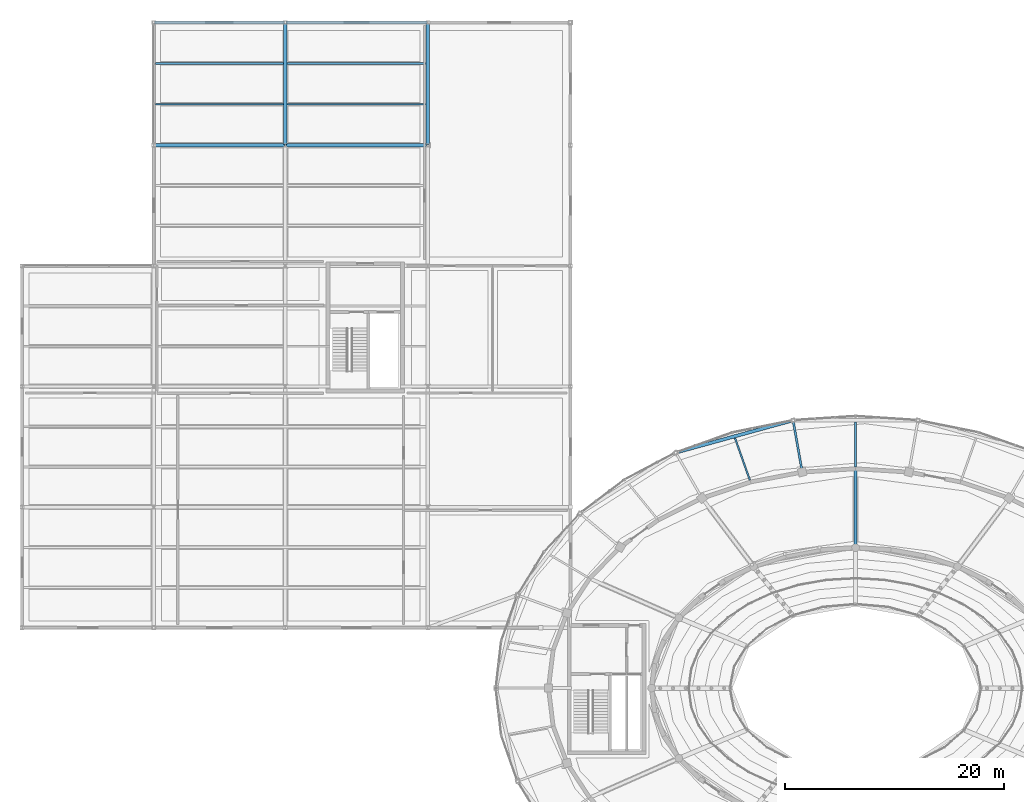
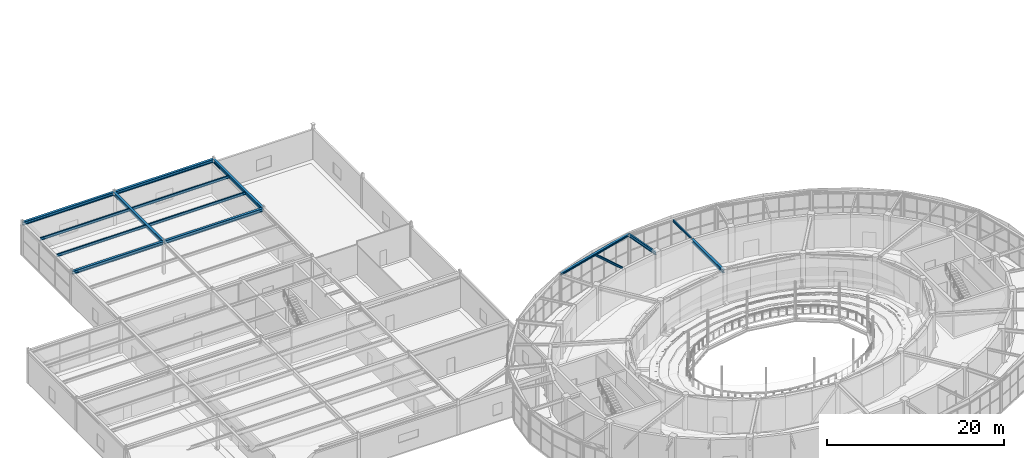
# One storey, part 58 of 108: 15 beams.
"""IFC4 building model written with IfcOpenShell, lengths in metres."""

from ifc_helpers import new_model, si_unit, direction, frame, origin, origin_2d, place, context, subcontext, project, spatial, i_section, extrude, material, material_profile, profile_set, type_object, element, save


model = new_model("IFC4")

# Units and contexts
model_context = context("Model", 3, precision=1e-05, world=origin(), true_north=direction((0.0, 1.0)))
body_context = subcontext(model_context, "Body", "Model", "MODEL_VIEW")
ifc_project = project(units=[si_unit("LENGTHUNIT", "METRE"), si_unit("AREAUNIT", "SQUARE_METRE"), si_unit("VOLUMEUNIT", "CUBIC_METRE"), si_unit("PLANEANGLEUNIT", "RADIAN"), si_unit("MASSUNIT", "GRAM", prefix="KILO")], contexts=[model_context])

# Site, building, storey
site_placement = place(None, origin())
site = spatial("IfcSite", under=ifc_project, at=site_placement, CompositionType="ELEMENT")
building_placement = place(site_placement, origin())
building = spatial("IfcBuilding", under=site, at=building_placement, Name="Tarnveldt Headland Concert Hall", CompositionType="ELEMENT")
storey_placement = place(building_placement, frame((0.0, 0.0, 9.60009765625)))
storey = spatial("IfcBuildingStorey", under=building, at=storey_placement, Name="L02", CompositionType="ELEMENT", Elevation=9.60009765625)

# Beams
ifc_material = material(Name="Steel S355", Category="steel")
ifc_material_profile_1 = material_profile(ifc_material, i_section(OverallWidth=0.300048828125, OverallDepth=0.2900390625, WebThickness=0.008544921875, FlangeThickness=0.013916015625, FilletRadius=0.027099609375, at=origin_2d()), Name="HEA300", Category="steel")
ifc_profile_set_1 = profile_set([ifc_material_profile_1], Name="Steel S355")
beam_type_1 = type_object("IfcBeamType", Name="SB-HEA300", PredefinedType="SPANDREL", material=ifc_profile_set_1)
beam_1_placement = place(storey_placement, frame((77.74658203125, 78.9072265625, 4.4248046875), z_axis=(-0.964161617091, -0.265315616065, 0.0), x_axis=(0.265315616065, -0.964161617091, 0.0)))
element("IfcBeam", 1, at=beam_1_placement, inside=storey, type_object=beam_type_1, Name="Framing beam L02-1010", PredefinedType="SPANDREL", context=body_context, shape_type="SweptSolid", body=[
    extrude(i_section(OverallWidth=0.300048828125, OverallDepth=0.2900390625, WebThickness=0.008544921875, FlangeThickness=0.013916015625, FilletRadius=0.027099609375, at=origin_2d()), origin(), (0.0, 0.0, 1.0), 10.982421875),
])
ifc_material_profile_2 = material_profile(ifc_material, i_section(OverallWidth=0.300048828125, OverallDepth=0.449951171875, WebThickness=0.013916015625, FlangeThickness=0.02587890625, FilletRadius=0.027099609375, at=origin_2d()), Name="HEB450", Category="steel")
ifc_profile_set_2 = profile_set([ifc_material_profile_2], Name="Steel S355")
beam_type_2 = type_object("IfcBeamType", Name="SB-HEB450", PredefinedType="BEAM", material=ifc_profile_set_2)
beam_2_placement = place(storey_placement, frame((83.5, 67.340087890625, 4.324951171875), z_axis=(0.0, 1.0, 0.0), x_axis=(-1.0, 0.0, 0.0)))
element("IfcBeam", 2, at=beam_2_placement, inside=storey, type_object=beam_type_2, Name="Framing beam L02-1055", PredefinedType="BEAM", context=body_context, shape_type="SweptSolid", body=[
    extrude(i_section(OverallWidth=0.300048828125, OverallDepth=0.449951171875, WebThickness=0.013916015625, FlangeThickness=0.02587890625, FilletRadius=0.027099609375, at=origin_2d()), origin(), (0.0, 0.0, 1.0), 7.119873046875),
])
beam_3_placement = place(storey_placement, frame((19.56005859375, 104.0, 4.324951171875), z_axis=(1.0, 0.0, 0.0), x_axis=(0.0, 1.0, 0.0)))
element("IfcBeam", 3, at=beam_3_placement, inside=storey, type_object=beam_type_2, Name="Framing beam L02-1178", PredefinedType="BEAM", context=body_context, shape_type="SweptSolid", body=[
    extrude(i_section(OverallWidth=0.300048828125, OverallDepth=0.449951171875, WebThickness=0.013916015625, FlangeThickness=0.02587890625, FilletRadius=0.027099609375, at=origin_2d()), origin(), (0.0, 0.0, 1.0), 11.8798828125),
])
beam_4_placement = place(storey_placement, frame((31.56005859375, 104.0, 4.324951171875), z_axis=(1.0, 0.0, 0.0), x_axis=(0.0, 1.0, 0.0)))
element("IfcBeam", 4, at=beam_4_placement, inside=storey, type_object=beam_type_2, Name="Framing beam L02-1179", PredefinedType="BEAM", context=body_context, shape_type="SweptSolid", body=[
    extrude(i_section(OverallWidth=0.300048828125, OverallDepth=0.449951171875, WebThickness=0.013916015625, FlangeThickness=0.02587890625, FilletRadius=0.027099609375, at=origin_2d()), origin(), (0.0, 0.0, 1.0), 12.8798828125),
])
beam_5_placement = place(storey_placement, frame((19.56005859375, 115.199951171875, 4.324951171875), z_axis=(1.0, 0.0, 0.0), x_axis=(0.0, 1.0, 0.0)))
element("IfcBeam", 5, at=beam_5_placement, inside=storey, type_object=beam_type_2, Name="Framing beam L02-1180", PredefinedType="BEAM", context=body_context, shape_type="SweptSolid", body=[
    extrude(i_section(OverallWidth=0.300048828125, OverallDepth=0.449951171875, WebThickness=0.013916015625, FlangeThickness=0.02587890625, FilletRadius=0.027099609375, at=origin_2d()), origin(), (0.0, 0.0, 1.0), 11.8798828125),
])
beam_6_placement = place(storey_placement, frame((31.56005859375, 115.199951171875, 4.324951171875), z_axis=(1.0, 0.0, 0.0), x_axis=(0.0, 1.0, 0.0)))
element("IfcBeam", 6, at=beam_6_placement, inside=storey, type_object=beam_type_2, Name="Framing beam L02-1181", PredefinedType="BEAM", context=body_context, shape_type="SweptSolid", body=[
    extrude(i_section(OverallWidth=0.300048828125, OverallDepth=0.449951171875, WebThickness=0.013916015625, FlangeThickness=0.02587890625, FilletRadius=0.027099609375, at=origin_2d()), origin(), (0.0, 0.0, 1.0), 12.8798828125),
])
for number, where, z_axis, x_axis, name in (
    (7, (31.5, 104.06005859375, 4.324951171875), (0.0, 1.0, 0.0), (-1.0, 0.0, 0.0), "Framing beam L02-1214"),
    (8, (44.5, 104.06005859375, 4.324951171875), (0.0, 1.0, 0.0), (-1.0, 0.0, 0.0), "Framing beam L02-1221"),
):
    element("IfcBeam", number, at=place(storey_placement, frame(where, z_axis=z_axis, x_axis=x_axis)), inside=storey, type_object=beam_type_2, Name=name, PredefinedType="BEAM", context=body_context, shape_type="SweptSolid", body=[
        extrude(i_section(OverallWidth=0.300048828125, OverallDepth=0.449951171875, WebThickness=0.013916015625, FlangeThickness=0.02587890625, FilletRadius=0.027099609375, at=origin_2d()), origin(), (0.0, 0.0, 1.0), 11.079833984375),
    ])
ifc_material_profile_3 = material_profile(ifc_material, i_section(OverallWidth=0.14990234375, OverallDepth=0.300048828125, WebThickness=0.007080078125, FlangeThickness=0.0107421875, FilletRadius=0.014892578125, at=origin_2d()), Name="IPE300", Category="steel")
ifc_profile_set_3 = profile_set([ifc_material_profile_3], Name="Steel S355")
beam_type_3 = type_object("IfcBeamType", Name="SB-IPE300", PredefinedType="JOIST", material=ifc_profile_set_3)
beam_7_placement = place(storey_placement, frame((83.5, 74.675048828125, 4.419921875), z_axis=(0.0, 1.0, 0.0), x_axis=(-1.0, 0.0, 0.0)))
element("IfcBeam", 9, at=beam_7_placement, inside=storey, type_object=beam_type_3, Name="Framing beam L02-1009", PredefinedType="JOIST", context=body_context, shape_type="SweptSolid", body=[
    extrude(i_section(OverallWidth=0.14990234375, OverallDepth=0.300048828125, WebThickness=0.007080078125, FlangeThickness=0.0107421875, FilletRadius=0.014892578125, at=origin_2d()), origin(), (0.0, 0.0, 1.0), 4.09814453125),
])
beam_8_placement = place(storey_placement, frame((73.864990234375, 73.458984375, 4.419921875), z_axis=(-0.33369553072, 0.942680907188, 0.0), x_axis=(-0.942680907188, -0.33369553072, 0.0)))
element("IfcBeam", 10, at=beam_8_placement, inside=storey, type_object=beam_type_3, Name="Framing beam L02-1012", PredefinedType="JOIST", context=body_context, shape_type="SweptSolid", body=[
    extrude(i_section(OverallWidth=0.14990234375, OverallDepth=0.300048828125, WebThickness=0.007080078125, FlangeThickness=0.0107421875, FilletRadius=0.014892578125, at=origin_2d()), origin(), (0.0, 0.0, 1.0), 4.083984375),
])
ifc_material_profile_4 = material_profile(ifc_material, i_section(OverallWidth=0.169921875, OverallDepth=0.360107421875, WebThickness=0.008056640625, FlangeThickness=0.0126953125, FilletRadius=0.01806640625, at=origin_2d()), Name="IPE360", Category="steel")
ifc_profile_set_4 = profile_set([ifc_material_profile_4], Name="Steel S355")
beam_type_4 = type_object("IfcBeamType", Name="SB-IPE360", PredefinedType="JOIST", material=ifc_profile_set_4)
for number, where, z_axis, x_axis, name in (
    (11, (19.64990234375, 107.73291015625, 4.369873046875), (1.0, 0.0, 0.0), (0.0, 1.0, 0.0), "Framing beam L02-1204"),
    (12, (19.64990234375, 111.467041015625, 4.369873046875), (1.0, 0.0, 0.0), (0.0, 1.0, 0.0), "Framing beam L02-1205"),
):
    element("IfcBeam", number, at=place(storey_placement, frame(where, z_axis=z_axis, x_axis=x_axis)), inside=storey, type_object=beam_type_4, Name=name, PredefinedType="JOIST", context=body_context, shape_type="SweptSolid", body=[
        extrude(i_section(OverallWidth=0.169921875, OverallDepth=0.360107421875, WebThickness=0.008056640625, FlangeThickness=0.0126953125, FilletRadius=0.01806640625, at=origin_2d()), origin(), (0.0, 0.0, 1.0), 11.7001953125),
    ])
for number, where, z_axis, x_axis, name in (
    (13, (31.64990234375, 107.73291015625, 4.369873046875), (1.0, 0.0, 0.0), (0.0, 1.0, 0.0), "Framing beam L02-1215"),
    (14, (31.64990234375, 111.467041015625, 4.369873046875), (1.0, 0.0, 0.0), (0.0, 1.0, 0.0), "Framing beam L02-1216"),
):
    element("IfcBeam", number, at=place(storey_placement, frame(where, z_axis=z_axis, x_axis=x_axis)), inside=storey, type_object=beam_type_4, Name=name, PredefinedType="JOIST", context=body_context, shape_type="SweptSolid", body=[
        extrude(i_section(OverallWidth=0.169921875, OverallDepth=0.360107421875, WebThickness=0.008056640625, FlangeThickness=0.0126953125, FilletRadius=0.01806640625, at=origin_2d()), origin(), (0.0, 0.0, 1.0), 12.7001953125),
    ])
ifc_material_profile_5 = material_profile(ifc_material, i_section(OverallWidth=0.18994140625, OverallDepth=0.449951171875, WebThickness=0.009521484375, FlangeThickness=0.0146484375, FilletRadius=0.02099609375, at=origin_2d()), Name="IPE450", Category="steel")
ifc_profile_set_5 = profile_set([ifc_material_profile_5], Name="Steel S355")
beam_type_5 = type_object("IfcBeamType", Name="SB-IPE450", PredefinedType="BEAM", material=ifc_profile_set_5)
beam_9_placement = place(storey_placement, frame((78.631103515625, 74.235595703125, 4.344970703125), z_axis=(-0.173708285572, 0.984797152475, 0.0), x_axis=(-0.984797152475, -0.173708285572, 0.0)))
element("IfcBeam", 15, at=beam_9_placement, inside=storey, type_object=beam_type_5, Name="Framing beam L02-1011", PredefinedType="BEAM", context=body_context, shape_type="SweptSolid", body=[
    extrude(i_section(OverallWidth=0.18994140625, OverallDepth=0.449951171875, WebThickness=0.009521484375, FlangeThickness=0.0146484375, FilletRadius=0.02099609375, at=origin_2d()), origin(), (0.0, 0.0, 1.0), 4.699951171875),
])

save(model, "model.ifc")
